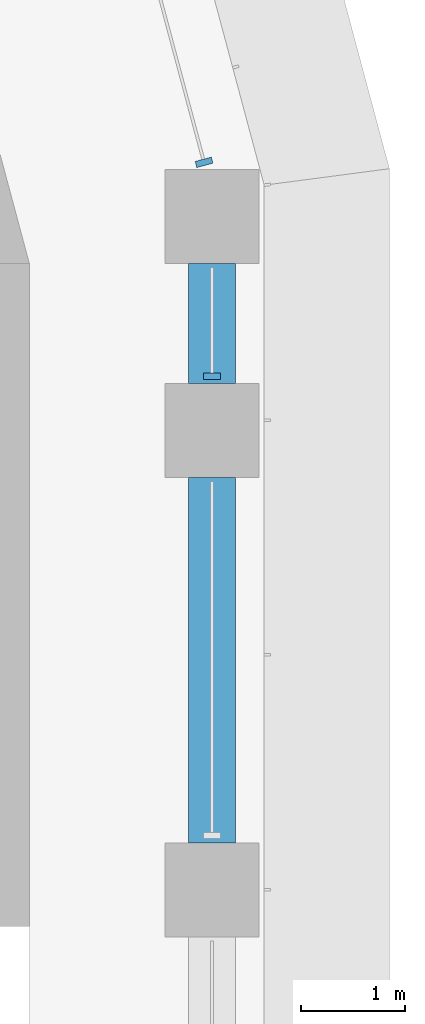
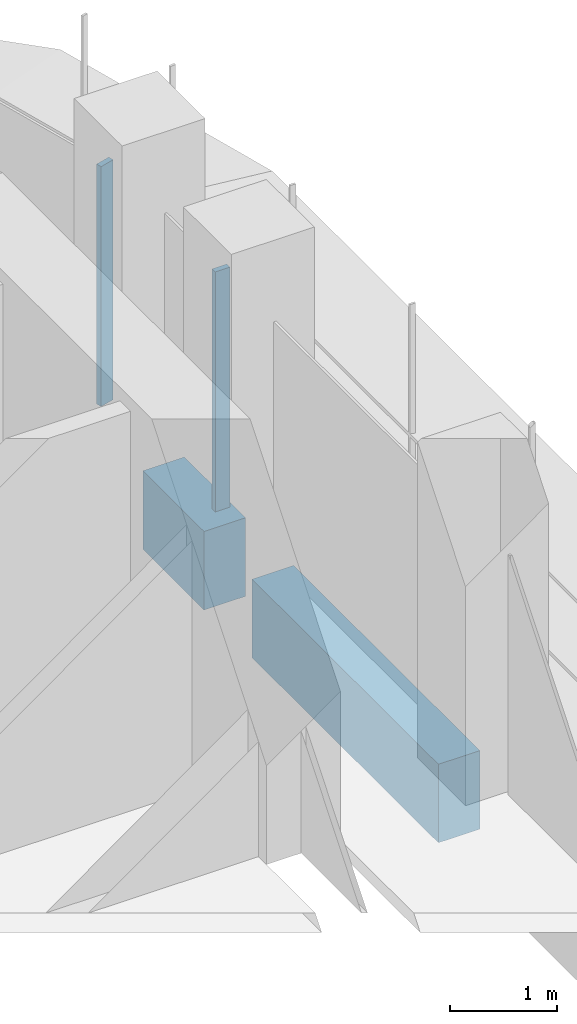
# One storey, part 9 of 21: 2 beams, 2 members, 2 elements without a shape of their own.
"""IFC4 building model written with IfcOpenShell, lengths in metres."""

from ifc_helpers import new_model, si_unit, direction, frame, origin, origin_2d, place, context, subcontext, project, spatial, polyline, rectangle, outline, extrude, source, transform, mapped, material, material_profile, profile_set, type_object, element, aggregate, save


model = new_model("IFC4")

# Units and contexts
model_context = context("Model", 3, precision=1e-05, world=origin(), true_north=direction((0.0, 1.0)))
body_context = subcontext(model_context, "Body", "Model", "MODEL_VIEW")
ifc_project = project(units=[si_unit("LENGTHUNIT", "METRE"), si_unit("AREAUNIT", "SQUARE_METRE"), si_unit("VOLUMEUNIT", "CUBIC_METRE"), si_unit("PLANEANGLEUNIT", "RADIAN"), si_unit("MASSUNIT", "GRAM", prefix="KILO")], contexts=[model_context])

# Site, building, storey
site_placement = place(None, origin())
site = spatial("IfcSite", under=ifc_project, at=site_placement, CompositionType="ELEMENT")
building_placement = place(site_placement, origin())
building = spatial("IfcBuilding", under=site, at=building_placement, Name="Zarbagh Exchange Tower", CompositionType="ELEMENT")
storey_placement = place(building_placement, frame((0.0, 0.0, 120.800048828125)))
storey = spatial("IfcBuildingStorey", under=building, at=storey_placement, Name="L28", CompositionType="ELEMENT", Elevation=120.800048828125)

# Beams
ifc_material_1 = material(Name="Concrete C60/75", Category="concrete")
ifc_material_profile = material_profile(ifc_material_1, rectangle(XDim=0.449951171875, YDim=0.89990234375, at=origin_2d()), Name="RC spandrel beam 450 x 900 C60/75")
ifc_profile_set = profile_set([ifc_material_profile], Name="Concrete C60/75")
beam_type = type_object("IfcBeamType", Name="RC spandrel beam 450 x 900 C60/75", PredefinedType="SPANDREL", material=ifc_profile_set)
beam_1_placement = place(storey_placement, frame((6.25, 26.25, -0.60009765625), z_axis=(0.0, -1.0, 0.0), x_axis=(1.0, 0.0, 0.0)))
element("IfcBeam", 1, at=beam_1_placement, inside=storey, type_object=beam_type, Name="RC spandrel beam", PredefinedType="SPANDREL", context=body_context, shape_type="SweptSolid", body=[
    extrude(rectangle(XDim=0.449951171875, YDim=0.89990234375, at=origin_2d()), origin(), (0.0, 0.0, 1.0), 1.14990234375),
])
beam_2_placement = place(storey_placement, frame((6.25, 24.199951171875, -0.60009765625), z_axis=(0.0, -1.0, 0.0), x_axis=(1.0, 0.0, 0.0)))
element("IfcBeam", 2, at=beam_2_placement, inside=storey, type_object=beam_type, Name="RC spandrel beam", PredefinedType="SPANDREL", context=body_context, shape_type="SweptSolid", body=[
    extrude(rectangle(XDim=0.449951171875, YDim=0.89990234375, at=origin_2d()), origin(), (0.0, 0.0, 1.0), 3.5),
])

# Curtain wall, member
ifc_material_2 = material(Name="Anodised aluminium frame and glazing", Category="aluminium")
curtain_wall_type = type_object("IfcCurtainWallType", Name="CWA Ribbon glazing, lower zones", PredefinedType="NOTDEFINED", material=ifc_material_2)
curtain_wall_1_placement = place(storey_placement, origin())
curtain_wall_1 = element("IfcCurtainWall", 3, at=curtain_wall_1_placement, inside=storey, type_object=curtain_wall_type, Name="CWA49 curtain wall", PredefinedType="NOTDEFINED")
ifc_material_3 = material(Name="Anodised aluminium frame", Category="aluminium")
member_type = type_object("IfcMemberType", Name="MUA Mullion, anodised aluminium frame", PredefinedType="MULLION", material=ifc_material_3)
shared_shape = source(origin(), body_context, "Body", "SweptSolid", [
    extrude(outline(polyline([(0.0, -0.080078125), (0.06005859375, -0.080078125), (0.06005859375, 0.080078125), (0.0, 0.080078125), (0.0, -0.080078125)])), origin(), (0.0, 0.0, 1.0), 2.75),
])
placement = place(storey_placement, origin())
member_1 = element("IfcMember", 4, at=placement, type_object=member_type, Name="CWA49 mullion 4.1", PredefinedType="MULLION", context=body_context, shape_type="MappedRepresentation", body=[
    mapped(shared_shape, transform((6.25, 25.14013671875, 0.0), x_axis=(0.0, 1.0, 0.0), y_axis=(-1.0, 0.0, 0.0), z_axis=(0.0, 0.0, 1.0))),
])
aggregate(curtain_wall_1, [member_1])

curtain_wall_2_placement = place(storey_placement, origin())
curtain_wall_2 = element("IfcCurtainWall", 5, at=curtain_wall_2_placement, inside=storey, type_object=curtain_wall_type, Name="CWA50 curtain wall", PredefinedType="NOTDEFINED")
member_2 = element("IfcMember", 6, at=placement, type_object=member_type, Name="CWA50 mullion 1.1", PredefinedType="MULLION", context=body_context, shape_type="MappedRepresentation", body=[
    mapped(shared_shape, transform((6.181396484375, 27.18994140625, 0.0), x_axis=(-0.258824779902, 0.965924289636, 0.0), y_axis=(-0.965924289636, -0.258824779902, 0.0), z_axis=(0.0, 0.0, 1.0))),
])
aggregate(curtain_wall_2, [member_2])

save(model, "model.ifc")
